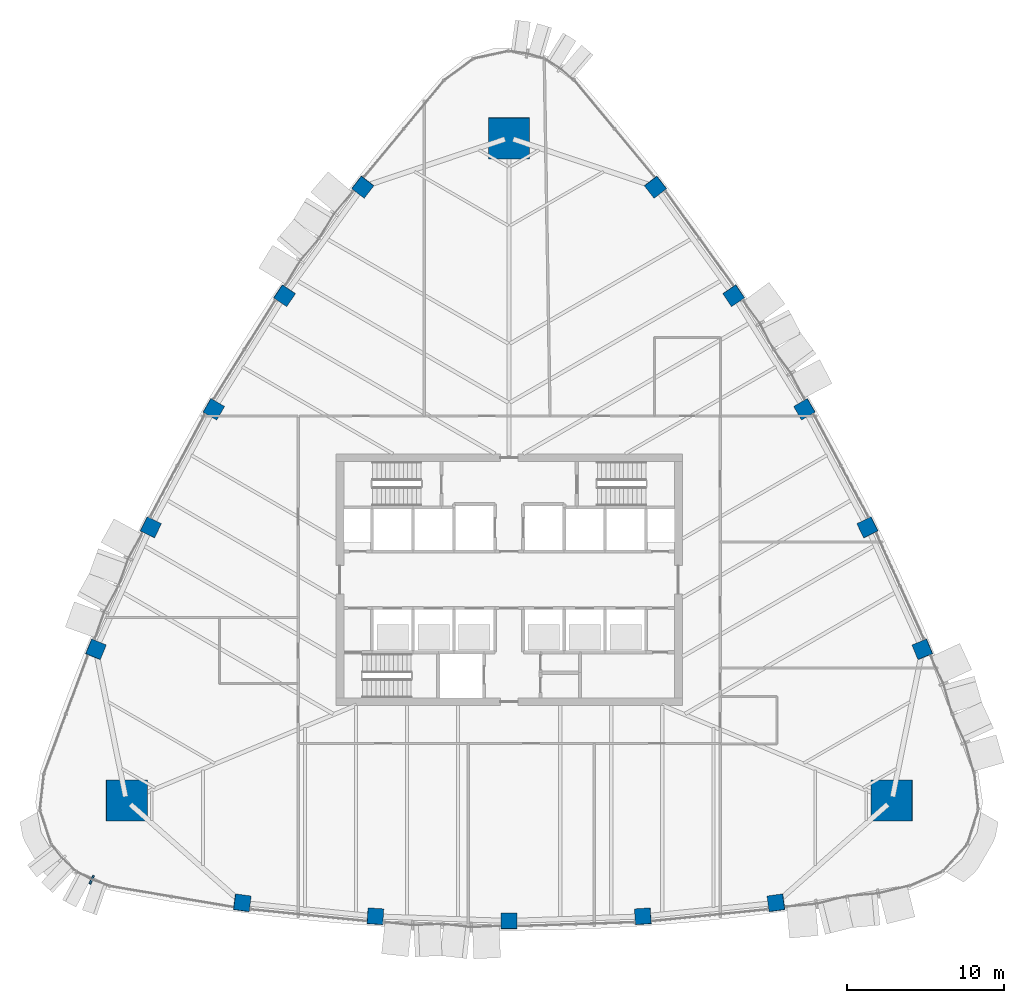
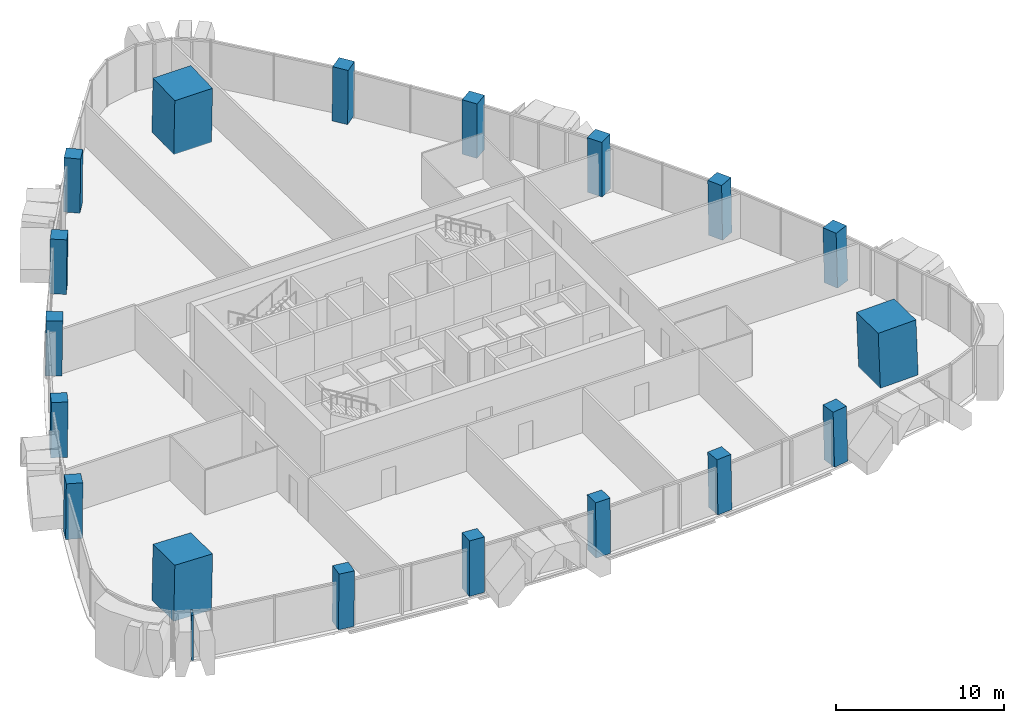
# One storey, part 1 of 17: 18 columns, 1 member, 1 element without a shape of its own.
"""IFC4 building model written with IfcOpenShell, lengths in metres."""

from ifc_helpers import new_model, si_unit, direction, frame, origin, origin_2d, place, context, subcontext, project, spatial, rectangle, extrude, material, layer, layer_set, material_profile, profile_set, type_object, element, aggregate, save


model = new_model("IFC4")

# Units and contexts
model_context = context("Model", 3, precision=1e-05, world=origin(), true_north=direction((0.0, 1.0)))
body_context = subcontext(model_context, "Body", "Model", "MODEL_VIEW")
ifc_project = project(units=[si_unit("LENGTHUNIT", "METRE"), si_unit("AREAUNIT", "SQUARE_METRE"), si_unit("VOLUMEUNIT", "CUBIC_METRE"), si_unit("PLANEANGLEUNIT", "RADIAN"), si_unit("MASSUNIT", "GRAM", prefix="KILO")], contexts=[model_context])

# Site, building, storey
site_placement = place(None, origin())
site = spatial("IfcSite", under=ifc_project, at=site_placement, CompositionType="ELEMENT")
building_placement = place(site_placement, origin())
building = spatial("IfcBuilding", under=site, at=building_placement, Name="Sierra Prisma Convention Tower", CompositionType="ELEMENT")
storey_placement = place(building_placement, frame((0.0, 0.0, 153.800048828125)))
storey = spatial("IfcBuildingStorey", under=building, at=storey_placement, Name="L33", CompositionType="ELEMENT", Elevation=153.800048828125)

# Columns
ifc_material_1 = material(Name="Concrete C60/75", Category="concrete")
ifc_material_profile_1 = material_profile(ifc_material_1, rectangle(XDim=2.60009765625, YDim=2.60009765625, at=origin_2d()), Name="Mega column RC 2600 C60/75")
ifc_profile_set_1 = profile_set([ifc_material_profile_1], Name="Concrete C60/75")
column_type_1 = type_object("IfcColumnType", Name="Mega column RC 2600 C60/75", PredefinedType="COLUMN", material=ifc_profile_set_1)
for number, where, z_axis, x_axis, name in (
    (1, (24.30859375, -14.034423828125, 0.0), (-0.028122372328, 0.016226791842, 0.999472772716), (0.999604487872, 0.00045651644, 0.02811866672), "Mega column SE L33"),
    (2, (0.0, 28.069091796875, 0.0), (0.0, -0.032453598962, 0.999473243221), (1.0, 0.0, 0.0), "Mega column N L33"),
    (3, (-24.30859375, -14.034423828125, 0.0), (0.028122372328, 0.016226791842, 0.999472772716), (0.999604487872, -0.00045651644, -0.02811866672), "Mega column SW L33"),
):
    element("IfcColumn", number, at=place(storey_placement, frame(where, z_axis=z_axis, x_axis=x_axis)), inside=storey, type_object=column_type_1, Name=name, PredefinedType="COLUMN", context=body_context, shape_type="SweptSolid", body=[
        extrude(rectangle(XDim=2.60009765625, YDim=2.60009765625, at=origin_2d()), origin(), (0.0, 0.0, 1.0), 4.002197265625),
    ])
ifc_material_2 = material(Name="Concrete C60/75", Category="concrete")
ifc_material_profile_2 = material_profile(ifc_material_2, rectangle(XDim=1.0, YDim=1.0, at=origin_2d()), Name="Perimeter column RC 1000 C60/75")
ifc_profile_set_2 = profile_set([ifc_material_profile_2], Name="Concrete C60/75")
column_type_2 = type_object("IfcColumnType", Name="Perimeter column RC 1000 C60/75", PredefinedType="COLUMN", material=ifc_profile_set_2)
column_1_placement = place(storey_placement, frame((-16.960205078125, -20.523681640625, 0.0), z_axis=(0.017696459735, 0.010434809016, 0.999788952766), x_axis=(-0.990818194268, 0.134234547911, 0.016136668008)))
element("IfcColumn", 4, at=column_1_placement, inside=storey, type_object=column_type_2, Name="Perimeter column S-1 L33", PredefinedType="COLUMN", context=body_context, shape_type="SweptSolid", body=[
    extrude(rectangle(XDim=1.0, YDim=1.0, at=origin_2d()), origin(), (0.0, 0.0, 1.0), 4.000732421875),
])
column_2_placement = place(storey_placement, frame((-8.499267578125, -21.3798828125, 0.0), z_axis=(0.008849199152, 0.01116829962, 0.999898475225), x_axis=(-0.997701725357, 0.0672756111, 0.008078327231)))
element("IfcColumn", 5, at=column_2_placement, inside=storey, type_object=column_type_2, Name="Perimeter column S-2 L33", PredefinedType="COLUMN", context=body_context, shape_type="SweptSolid", body=[
    extrude(rectangle(XDim=1.0, YDim=1.0, at=origin_2d()), origin(), (0.0, 0.0, 1.0), 4.00048828125),
])
column_3_placement = place(storey_placement, frame((0.0, -21.665771484375, 0.0), z_axis=(0.0, 0.01141283087, 0.999934871525), x_axis=(1.0, 0.0, 0.0)))
element("IfcColumn", 6, at=column_3_placement, inside=storey, type_object=column_type_2, Name="Perimeter column S-3 L33", PredefinedType="COLUMN", context=body_context, shape_type="SweptSolid", body=[
    extrude(rectangle(XDim=1.0, YDim=1.0, at=origin_2d()), origin(), (0.0, 0.0, 1.0), 4.000244140625),
])
column_4_placement = place(storey_placement, frame((8.499267578125, -21.3798828125, 0.0), z_axis=(-0.008849199152, 0.01116829962, 0.999898475225), x_axis=(0.997701725357, 0.0672756111, 0.008078327231)))
element("IfcColumn", 7, at=column_4_placement, inside=storey, type_object=column_type_2, Name="Perimeter column S-4 L33", PredefinedType="COLUMN", context=body_context, shape_type="SweptSolid", body=[
    extrude(rectangle(XDim=1.0, YDim=1.0, at=origin_2d()), origin(), (0.0, 0.0, 1.0), 4.00048828125),
])
for number, where, z_axis, x_axis, name in (
    (8, (16.960205078125, -20.523681640625, 0.0), (-0.017696459735, 0.010434809016, 0.999788952766), (0.990818194268, 0.134234547911, 0.016136668008), "Perimeter column S-5 L33"),
    (9, (26.254150390625, -4.426025390625, 0.0), (-0.017879535448, 0.010068680372, 0.999789449778), (-0.379327691236, 0.925122306117, -0.01610035364), "Perimeter column NE-1 L33"),
):
    element("IfcColumn", number, at=place(storey_placement, frame(where, z_axis=z_axis, x_axis=x_axis)), inside=storey, type_object=column_type_2, Name=name, PredefinedType="COLUMN", context=body_context, shape_type="SweptSolid", body=[
        extrude(rectangle(XDim=1.0, YDim=1.0, at=origin_2d()), origin(), (0.0, 0.0, 1.0), 4.000732421875),
    ])
column_5_placement = place(storey_placement, frame((22.76513671875, 3.329345703125, 0.0), z_axis=(-0.014097689605, 0.002074984617, 0.999898469639), x_axis=(-0.440645983908, 0.897644641837, -0.00807550904)))
element("IfcColumn", 10, at=column_5_placement, inside=storey, type_object=column_type_2, Name="Perimeter column NE-2 L33", PredefinedType="COLUMN", context=body_context, shape_type="SweptSolid", body=[
    extrude(rectangle(XDim=1.0, YDim=1.0, at=origin_2d()), origin(), (0.0, 0.0, 1.0), 4.00048828125),
])
column_6_placement = place(storey_placement, frame((18.76318359375, 10.8330078125, 0.0), z_axis=(-0.009948074445, -0.005736926367, 0.999934059571), x_axis=(-0.499975258342, 0.8660396879, -5.385525e-06)))
element("IfcColumn", 11, at=column_6_placement, inside=storey, type_object=column_type_2, Name="Perimeter column NE-3 L33", PredefinedType="COLUMN", context=body_context, shape_type="SweptSolid", body=[
    extrude(rectangle(XDim=1.0, YDim=1.0, at=origin_2d()), origin(), (0.0, 0.0, 1.0), 4.000244140625),
])
column_7_placement = place(storey_placement, frame((14.265869140625, 18.050537109375, 0.0), z_axis=(-0.005248490815, -0.013243284963, 0.999898529226), x_axis=(-0.557043340831, 0.830444164861, 0.008074991239)))
element("IfcColumn", 12, at=column_7_placement, inside=storey, type_object=column_type_2, Name="Perimeter column NE-4 L33", PredefinedType="COLUMN", context=body_context, shape_type="SweptSolid", body=[
    extrude(rectangle(XDim=1.0, YDim=1.0, at=origin_2d()), origin(), (0.0, 0.0, 1.0), 4.00048828125),
])
for number, where, z_axis, x_axis, name in (
    (13, (9.2939453125, 24.94970703125, 0.0), (-0.000183066973, -0.020503501027, 0.999789764367), (-0.611585028009, 0.79101467846, 0.016109996147), "Perimeter column NE-5 L33"),
    (14, (-9.2939453125, 24.94970703125, 0.0), (0.000183066973, -0.020503501027, 0.999789764367), (0.611585028009, 0.79101467846, 0.016109996147), "Perimeter column NW-1 L33"),
):
    element("IfcColumn", number, at=place(storey_placement, frame(where, z_axis=z_axis, x_axis=x_axis)), inside=storey, type_object=column_type_2, Name=name, PredefinedType="COLUMN", context=body_context, shape_type="SweptSolid", body=[
        extrude(rectangle(XDim=1.0, YDim=1.0, at=origin_2d()), origin(), (0.0, 0.0, 1.0), 4.000732421875),
    ])
column_8_placement = place(storey_placement, frame((-14.265869140625, 18.050537109375, 0.0), z_axis=(0.005248490815, -0.013243284963, 0.999898529226), x_axis=(0.557043340831, 0.830444164861, 0.008074991239)))
element("IfcColumn", 15, at=column_8_placement, inside=storey, type_object=column_type_2, Name="Perimeter column NW-2 L33", PredefinedType="COLUMN", context=body_context, shape_type="SweptSolid", body=[
    extrude(rectangle(XDim=1.0, YDim=1.0, at=origin_2d()), origin(), (0.0, 0.0, 1.0), 4.00048828125),
])
column_9_placement = place(storey_placement, frame((-18.76318359375, 10.8330078125, 0.0), z_axis=(0.009948074445, -0.005736926367, 0.999934059571), x_axis=(0.499975258342, 0.8660396879, -5.385525e-06)))
element("IfcColumn", 16, at=column_9_placement, inside=storey, type_object=column_type_2, Name="Perimeter column NW-3 L33", PredefinedType="COLUMN", context=body_context, shape_type="SweptSolid", body=[
    extrude(rectangle(XDim=1.0, YDim=1.0, at=origin_2d()), origin(), (0.0, 0.0, 1.0), 4.000244140625),
])
column_10_placement = place(storey_placement, frame((-22.76513671875, 3.329345703125, 0.0), z_axis=(0.014097689605, 0.002074984617, 0.999898469639), x_axis=(0.440645983908, 0.897644641837, -0.00807550904)))
element("IfcColumn", 17, at=column_10_placement, inside=storey, type_object=column_type_2, Name="Perimeter column NW-4 L33", PredefinedType="COLUMN", context=body_context, shape_type="SweptSolid", body=[
    extrude(rectangle(XDim=1.0, YDim=1.0, at=origin_2d()), origin(), (0.0, 0.0, 1.0), 4.00048828125),
])
column_11_placement = place(storey_placement, frame((-26.254150390625, -4.426025390625, 0.0), z_axis=(0.017879535448, 0.010068680372, 0.999789449778), x_axis=(0.379327691236, 0.925122306117, -0.01610035364)))
element("IfcColumn", 18, at=column_11_placement, inside=storey, type_object=column_type_2, Name="Perimeter column NW-5 L33", PredefinedType="COLUMN", context=body_context, shape_type="SweptSolid", body=[
    extrude(rectangle(XDim=1.0, YDim=1.0, at=origin_2d()), origin(), (0.0, 0.0, 1.0), 4.000732421875),
])

# Curtain wall, member
ifc_material_3 = material(Name="Aluminium and glass curtain wall", Category="aluminium")
ifc_layer = layer(ifc_material_3, 0.179931640625)
ifc_layer_set = layer_set([ifc_layer], Name="CW-2 Faceted crystal curtain wall")
curtain_wall_type = type_object("IfcCurtainWallType", Name="CW-2 Faceted crystal curtain wall", PredefinedType="NOTDEFINED", material=ifc_layer_set)
curtain_wall_placement = place(storey_placement, origin())
curtain_wall = element("IfcCurtainWall", 19, at=curtain_wall_placement, inside=storey, type_object=curtain_wall_type, Name="CW-2 SW4 L33", PredefinedType="NOTDEFINED")
ifc_material_4 = material(Name="Aluminium 6063-T6 bronze anodised", Category="aluminium")
ifc_material_profile_3 = material_profile(ifc_material_4, rectangle(XDim=0.1201171875, YDim=0.60009765625, at=origin_2d()), Name="ALU RIDGE BLADE 120x600")
ifc_profile_set_3 = profile_set([ifc_material_profile_3], Name="Aluminium 6063-T6 bronze anodised")
member_type = type_object("IfcMemberType", Name="CW hip bronze", PredefinedType="MULLION", material=ifc_profile_set_3)
member_placement = place(storey_placement, frame((-26.510009765625, -19.057373046875, 0.0), z_axis=(0.0, 0.0, 1.0), x_axis=(0.915892638209, -0.401423311823, 0.0)))
member = element("IfcMember", 20, at=member_placement, type_object=member_type, Name="CW-2 ridge SW4.1", PredefinedType="MULLION", context=body_context, shape_type="SweptSolid", body=[
    extrude(rectangle(XDim=0.1201171875, YDim=0.60009765625, at=origin_2d()), origin(), (0.0, 0.0, 1.0), 3.280029296875),
])
aggregate(curtain_wall, [member])

save(model, "model.ifc")
